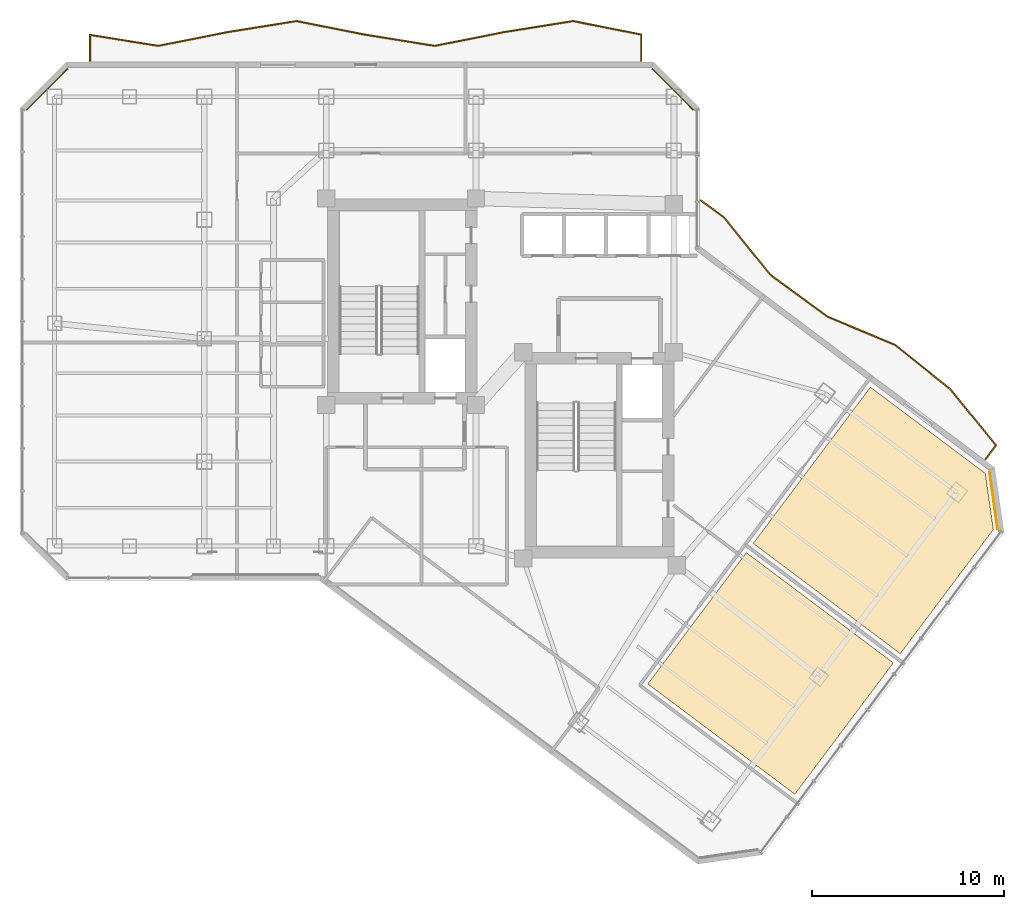
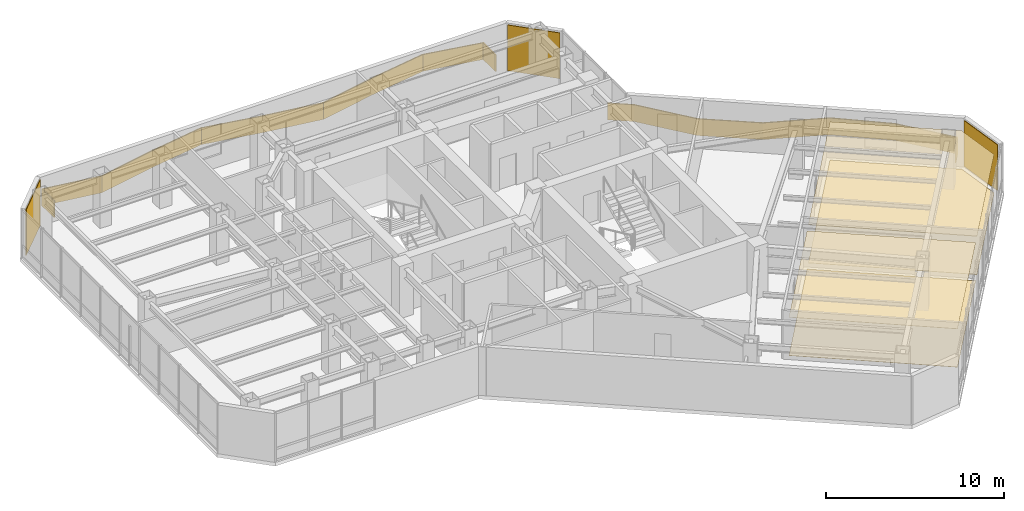
# One storey, part 27 of 27: 7 coverings, 2 railings.
"""IFC4 building model written with IfcOpenShell, lengths in metres."""

from ifc_helpers import new_model, si_unit, direction, frame, origin, origin_2d, place, context, subcontext, project, spatial, polyline, rectangle, outline, extrude, material, layer, layer_set, type_object, element, save


model = new_model("IFC4")

# Units and contexts
model_context = context("Model", 3, precision=1e-05, world=origin(), true_north=direction((0.0, 1.0)))
body_context = subcontext(model_context, "Body", "Model", "MODEL_VIEW")
ifc_project = project(units=[si_unit("LENGTHUNIT", "METRE"), si_unit("AREAUNIT", "SQUARE_METRE"), si_unit("VOLUMEUNIT", "CUBIC_METRE"), si_unit("PLANEANGLEUNIT", "RADIAN"), si_unit("MASSUNIT", "GRAM", prefix="KILO")], contexts=[model_context])

# Site, building, storey
site_placement = place(None, origin())
site = spatial("IfcSite", under=ifc_project, at=site_placement, CompositionType="ELEMENT")
building_placement = place(site_placement, origin())
building = spatial("IfcBuilding", under=site, at=building_placement, Name="Hatsunagi Terrace Concourse", CompositionType="ELEMENT")
storey_placement = place(building_placement, frame((0.0, 0.0, 174.449951171875)))
storey = spatial("IfcBuildingStorey", under=building, at=storey_placement, Name="L46", CompositionType="ELEMENT", Elevation=174.449951171875)

# Covering
ifc_material_1 = material(Name="Acoustic mineral board", Category="gypsum")
ifc_layer_1 = layer(ifc_material_1, 0.02001953125)
ifc_layer_set_1 = layer_set([ifc_layer_1], Name="AcousticMineralCeiling_20")
covering_type_1 = type_object("IfcCoveringType", Name="AcousticMineralCeiling_20", PredefinedType="CEILING", material=ifc_layer_set_1)
covering_1_placement = place(storey_placement, frame((0.0, 0.0, 2.630126953125)))
element("IfcCovering", 1, at=covering_1_placement, inside=storey, type_object=covering_type_1, Name="Suspended Ceiling L46-2", PredefinedType="CEILING", context=body_context, shape_type="SweptSolid", body=[
    extrude(outline(polyline([(55.075927734375, 19.117919921875), (47.419921875, 24.860107421875), (42.2900390625, 18.02001953125), (49.946044921875, 12.278076171875), (55.075927734375, 19.117919921875)])), origin(), (0.0, 0.0, 1.0), 0.02001953125),
])

# Railings
ifc_material_2 = material(Name="Laminated Glass and Stainless Steel Guard", Category="steel")
ifc_layer_2 = layer(ifc_material_2, 0.070068359375)
ifc_layer_set_2 = layer_set([ifc_layer_2], Name="BalconyGlassGuardRail_1150")
railing_type = type_object("IfcRailingType", Name="BalconyGlassGuardRail_1150", PredefinedType="BALUSTRADE", material=ifc_layer_set_2)
railing_1_placement = place(storey_placement, origin())
element("IfcRailing", 2, at=railing_1_placement, inside=storey, type_object=railing_type, Name="Engawa Balcony Guard GRD-01 L46-BN-1", PredefinedType="BALUSTRADE", context=body_context, shape_type="SweptSolid", body=[
    extrude(outline(polyline([(13.215087890625, 50.449951171875), (13.284912109375, 50.449951171875), (13.284912109375, 51.781982421875), (16.8017578125, 51.21728515625), (20.415283203125, 51.9345703125), (23.998291015625, 52.509521484375), (27.584716796875, 51.798583984375), (31.20166015625, 51.21728515625), (34.815185546875, 51.9345703125), (38.398193359375, 52.509521484375), (41.9150390625, 51.812255859375), (41.9150390625, 50.449951171875), (41.985107421875, 50.449951171875), (41.985107421875, 51.86962890625), (38.399658203125, 52.58056640625), (34.802734375, 52.00341796875), (31.2001953125, 51.28857421875), (27.59716796875, 51.867431640625), (23.999755859375, 52.58056640625), (20.40283203125, 52.00341796875), (16.80029296875, 51.28857421875), (13.215087890625, 51.864013671875), (13.215087890625, 50.449951171875)])), origin(), (0.0, 0.0, 1.0), 1.150146484375),
])
railing_2_placement = place(storey_placement, origin())
element("IfcRailing", 3, at=railing_2_placement, inside=storey, type_object=railing_type, Name="Engawa Balcony Guard GRD-01 L46-BSE-1", PredefinedType="BALUSTRADE", context=body_context, shape_type="SweptSolid", body=[
    extrude(outline(polyline([(45.066650390625, 43.2353515625), (45.025390625, 43.1787109375), (46.233642578125, 42.29541015625), (48.629638671875, 39.324462890625), (51.629638671875, 37.120361328125), (55.14892578125, 35.650634765625), (58.022216796875, 33.347900390625), (60.379638671875, 30.447021484375), (59.842041015625, 29.73095703125), (59.89794921875, 29.68896484375), (60.468505859375, 30.448974609375), (58.07177734375, 33.39794921875), (55.18505859375, 35.71142578125), (51.664306640625, 37.181640625), (48.678466796875, 39.37548828125), (46.282470703125, 42.346435546875), (45.066650390625, 43.2353515625)])), origin(), (0.0, 0.0, 1.0), 1.150146484375),
])

# Coverings
ifc_material_3 = material(Name="Granite stone paving", Category="masonry")
ifc_layer_3 = layer(ifc_material_3, 0.02490234375)
ifc_layer_set_3 = layer_set([ifc_layer_3], Name="GraniteStoneFlooring_25")
covering_type_2 = type_object("IfcCoveringType", Name="GraniteStoneFlooring_25", PredefinedType="FLOORING", material=ifc_layer_set_3)
covering_2_placement = place(storey_placement, origin())
element("IfcCovering", 4, at=covering_2_placement, inside=storey, type_object=covering_type_2, Name="Finished Flooring L46-1", PredefinedType="FLOORING", context=body_context, shape_type="SweptSolid", body=[
    extrude(outline(polyline([(59.865966796875, 28.988037109375), (53.882080078125, 33.47607421875), (47.780029296875, 25.340087890625), (55.43603515625, 19.597900390625), (60.283935546875, 26.06201171875), (59.865966796875, 28.988037109375)])), origin(), (0.0, 0.0, 1.0), 0.025146484375),
])
ifc_material_4 = material(Name="Hardwood timber", Category="wood")
ifc_layer_4 = layer(ifc_material_4, 0.014892578125)
ifc_layer_set_4 = layer_set([ifc_layer_4], Name="HardwoodTimberFlooring_15")
covering_type_3 = type_object("IfcCoveringType", Name="HardwoodTimberFlooring_15", PredefinedType="FLOORING", material=ifc_layer_set_4)
covering_3_placement = place(storey_placement, origin())
element("IfcCovering", 5, at=covering_3_placement, inside=storey, type_object=covering_type_3, Name="Finished Flooring L46-2", PredefinedType="FLOORING", context=body_context, shape_type="SweptSolid", body=[
    extrude(outline(polyline([(55.075927734375, 19.117919921875), (47.419921875, 24.860107421875), (42.2900390625, 18.02001953125), (49.946044921875, 12.278076171875), (55.075927734375, 19.117919921875)])), origin(), (0.0, 0.0, 1.0), 0.01513671875),
])
ifc_material_5 = material(Name="Unglazed Warm Terracotta Rainscreen Tile", Category="masonry")
ifc_layer_5 = layer(ifc_material_5, 0.044921875)
ifc_layer_set_5 = layer_set([ifc_layer_5], Name="TerracottaRainscreenCladding_45")
covering_type_4 = type_object("IfcCoveringType", Name="TerracottaRainscreenCladding_45", PredefinedType="CLADDING", material=ifc_layer_set_5)
for number, where, z_axis, x_axis, name in (
    (6, (60.301025390625, 27.55810546875, 0.10009765625), (0.0, 0.0, 1.0), (0.141250262458, -0.989973920543, 0.0), "Terracotta Rainscreen Cladding L46-02"),
    (7, (11.013916015625, 48.986083984375, 0.10009765625), (0.0, 0.0, 1.0), (0.707106781187, 0.707106781187, 0.0), "Terracotta Rainscreen Cladding L46-10"),
    (8, (43.5859375, 48.986083984375, 0.10009765625), (0.0, 0.0, 1.0), (0.707106781187, -0.707106781187, 0.0), "Terracotta Rainscreen Cladding L46-12"),
):
    element("IfcCovering", number, at=place(storey_placement, frame(where, z_axis=z_axis, x_axis=x_axis)), inside=storey, type_object=covering_type_4, Name=name, PredefinedType="CLADDING", context=body_context, shape_type="SweptSolid", body=[
        extrude(rectangle(XDim=3.0380859375, YDim=0.044921875, at=origin_2d()), origin(), (0.0, 0.0, 1.0), 3.14990234375),
    ])
ifc_material_6 = material(Name="Hardwood timber", Category="wood")
ifc_layer_6 = layer(ifc_material_6, 0.034912109375)
ifc_layer_set_6 = layer_set([ifc_layer_6], Name="TimberBaffleCeiling_35")
covering_type_5 = type_object("IfcCoveringType", Name="TimberBaffleCeiling_35", PredefinedType="CEILING", material=ifc_layer_set_6)
covering_4_placement = place(storey_placement, frame((0.0, 0.0, 2.630126953125)))
element("IfcCovering", 9, at=covering_4_placement, inside=storey, type_object=covering_type_5, Name="Suspended Ceiling L46-1", PredefinedType="CEILING", context=body_context, shape_type="SweptSolid", body=[
    extrude(outline(polyline([(59.865966796875, 28.988037109375), (53.882080078125, 33.47607421875), (47.780029296875, 25.340087890625), (55.43603515625, 19.597900390625), (60.283935546875, 26.06201171875), (59.865966796875, 28.988037109375)])), origin(), (0.0, 0.0, 1.0), 0.034912109375),
])

save(model, "model.ifc")
